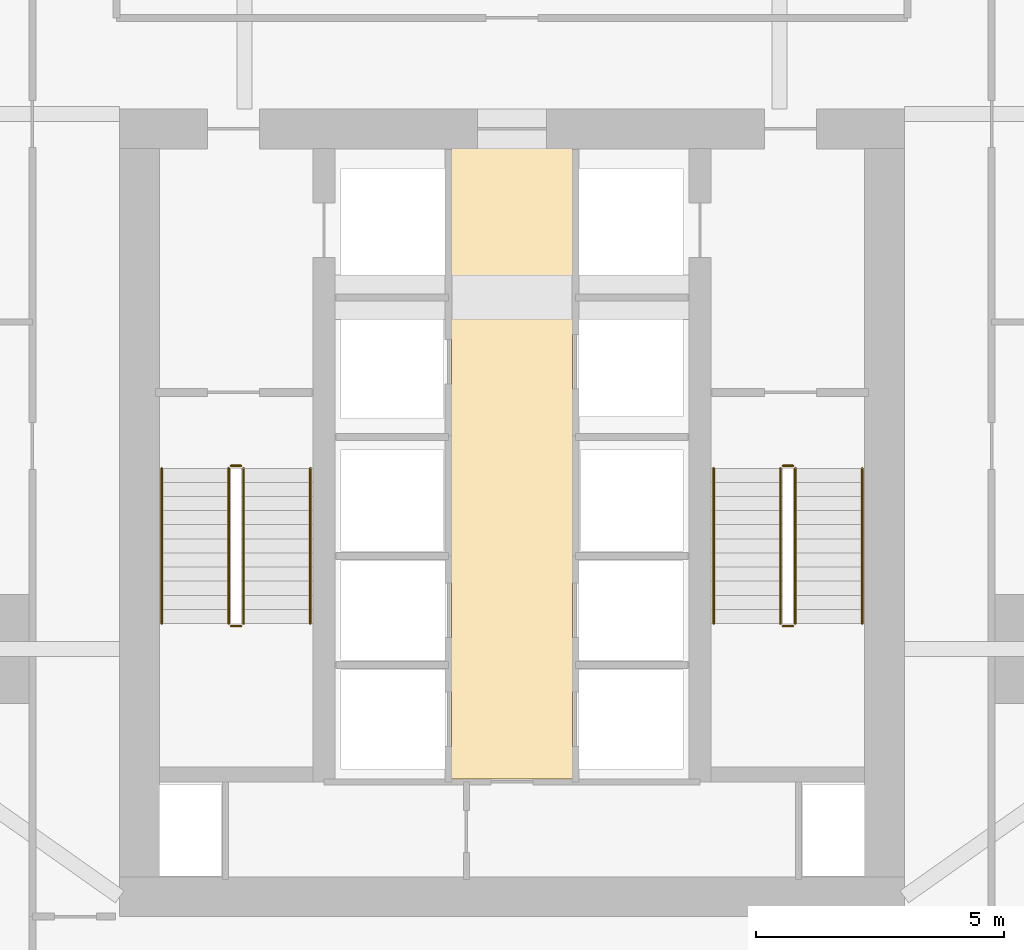
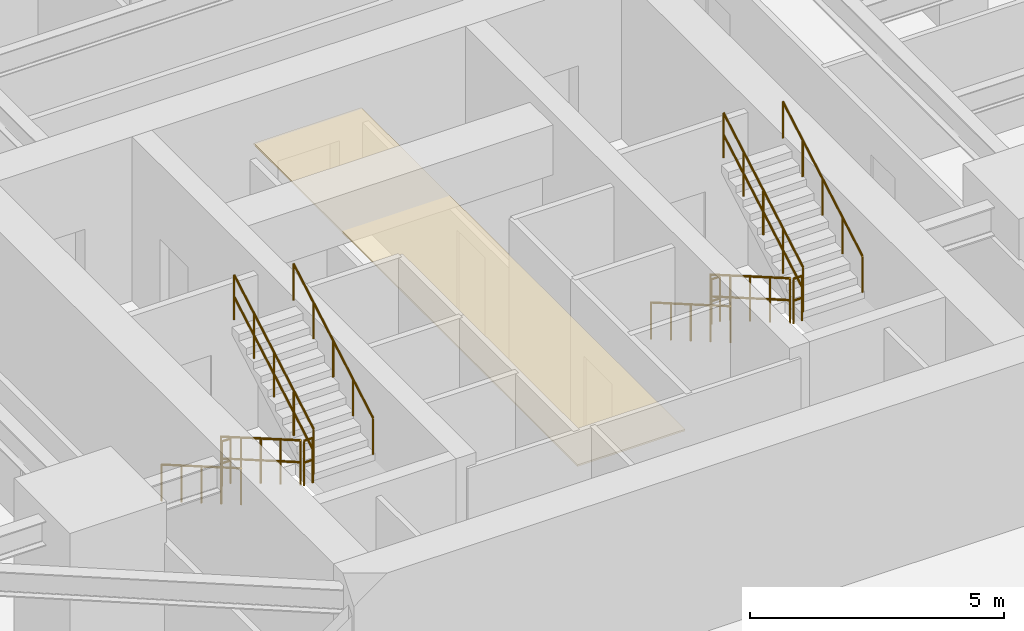
# One storey, part 27 of 28: 12 railings, 1 covering.
"""IFC4 building model written with IfcOpenShell, lengths in metres."""

from ifc_helpers import new_model, si_unit, direction, frame, origin, origin_2d, place, context, subcontext, project, spatial, polyline, circle, outline, extrude, material, layer, layer_set, type_object, element, save


model = new_model("IFC4")

# Units and contexts
model_context = context("Model", 3, precision=1e-05, world=origin(), true_north=direction((0.0, 1.0)))
body_context = subcontext(model_context, "Body", "Model", "MODEL_VIEW")
ifc_project = project(units=[si_unit("LENGTHUNIT", "METRE"), si_unit("AREAUNIT", "SQUARE_METRE"), si_unit("VOLUMEUNIT", "CUBIC_METRE"), si_unit("PLANEANGLEUNIT", "RADIAN"), si_unit("MASSUNIT", "GRAM", prefix="KILO")], contexts=[model_context])

# Site, building, storey
site_placement = place(None, origin())
site = spatial("IfcSite", under=ifc_project, at=site_placement, CompositionType="ELEMENT")
building_placement = place(site_placement, origin())
building = spatial("IfcBuilding", under=site, at=building_placement, Name="Krantzveldt Concourse Tower", CompositionType="ELEMENT")
storey_placement = place(building_placement, frame((0.0, 0.0, 64.5)))
storey = spatial("IfcBuildingStorey", under=building, at=storey_placement, Name="L15", CompositionType="ELEMENT", Elevation=64.5)

# Covering
ifc_material_1 = material(Name="Perforated acoustic mineral-fibre ceiling tile", Category="ceiling")
ifc_layer_1 = layer(ifc_material_1, 0.0400390625, Name="Perforated acoustic mineral-fibre ceiling tile", Category="ceiling")
ifc_layer_set_1 = layer_set([ifc_layer_1], Name="Perforated acoustic mineral-fibre ceiling tile (COV-CEIL-ACOUSTIC)")
covering_type = type_object("IfcCoveringType", Name="COV-CEIL-ACOUSTIC", PredefinedType="CEILING", material=ifc_layer_set_1)
covering_placement = place(storey_placement, frame((0.0, 0.0, 2.75)))
element("IfcCovering", 1, at=covering_placement, inside=storey, type_object=covering_type, Name="CLG-L15-LLB", PredefinedType="CEILING", context=body_context, shape_type="SweptSolid", body=[
    extrude(outline(polyline([(37.22509765625, 13.27490234375), (34.77490234375, 13.27490234375), (34.77490234375, 26.044921875), (37.22509765625, 26.044921875), (37.22509765625, 13.27490234375)])), origin(), (0.0, 0.0, 1.0), 0.0400390625),
])

# Railings
ifc_material_2 = material(Name="Stainless steel 316L", Category="steel")
ifc_layer_2 = layer(ifc_material_2, 0.06005859375, Name="Stainless steel 316L", Category="steel")
ifc_layer_set_2 = layer_set([ifc_layer_2], Name="Stainless steel 316L (RL-GUARD-1120)")
railing_type_1 = type_object("IfcRailingType", Name="RL-GUARD-1120", PredefinedType="GUARDRAIL", material=ifc_layer_set_2)
railing_1_placement = place(storey_placement, frame((30.280029296875, 19.550048828125, 0.16455078125)))
element("IfcRailing", 2, at=railing_1_placement, inside=storey, type_object=railing_type_1, Name="L15 ST-1 stair guard 1", PredefinedType="GUARDRAIL", context=body_context, shape_type="SweptSolid", body=[
    extrude(circle(Radius=0.02392578125, at=origin_2d()), frame((0.0, 0.0, 1.076171875), z_axis=(0.0, -0.865959834175, 0.500113552702), x_axis=(1.0, 0.0, 0.0)), (0.0, 0.0, 1.0), 3.620361328125),
    extrude(circle(Radius=0.02392578125, at=origin_2d()), frame((0.0, 0.0, 0.550048828125), z_axis=(0.0, -0.865959834175, 0.500113552702), x_axis=(1.0, 0.0, 0.0)), (0.0, 0.0, 1.0), 3.620361328125),
    extrude(circle(Radius=0.02099609375, at=origin_2d()), origin(), (0.0, 0.0, 1.0), 1.052001953125),
    extrude(circle(Radius=0.02099609375, at=origin_2d()), frame((0.0, -0.78369140625, 0.45263671875)), (0.0, 0.0, 1.0), 1.052001953125),
    extrude(circle(Radius=0.02099609375, at=origin_2d()), frame((0.0, -1.5673828125, 0.9052734375)), (0.0, 0.0, 1.0), 1.052001953125),
    extrude(circle(Radius=0.02099609375, at=origin_2d()), frame((0.0, -2.351318359375, 1.35791015625)), (0.0, 0.0, 1.0), 1.052001953125),
    extrude(circle(Radius=0.02099609375, at=origin_2d()), frame((0.0, -3.135009765625, 1.810546875)), (0.0, 0.0, 1.0), 1.052001953125),
])
railing_2_placement = place(storey_placement, frame((30.330078125, 16.364990234375, 1.97509765625)))
element("IfcRailing", 3, at=railing_2_placement, inside=storey, type_object=railing_type_1, Name="L15 ST-1 stair guard 2", PredefinedType="GUARDRAIL", context=body_context, shape_type="SweptSolid", body=[
    extrude(circle(Radius=0.02392578125, at=origin_2d()), frame((0.0, 0.0, 1.076171875), z_axis=(1.0, 0.0, 0.0), x_axis=(0.0, 1.0, 0.0)), (0.0, 0.0, 1.0), 0.199951171875),
    extrude(circle(Radius=0.02392578125, at=origin_2d()), frame((0.0, 0.0, 0.550048828125), z_axis=(1.0, 0.0, 0.0), x_axis=(0.0, 1.0, 0.0)), (0.0, 0.0, 1.0), 0.199951171875),
    extrude(circle(Radius=0.02099609375, at=origin_2d()), origin(), (0.0, 0.0, 1.0), 1.052001953125),
    extrude(circle(Radius=0.02099609375, at=origin_2d()), frame((0.199951171875, 0.0, 0.0)), (0.0, 0.0, 1.0), 1.052001953125),
])
railing_3_placement = place(storey_placement, frame((30.580078125, 16.4150390625, 2.1396484375)))
element("IfcRailing", 4, at=railing_3_placement, inside=storey, type_object=railing_type_1, Name="L15 ST-1 stair guard 3", PredefinedType="GUARDRAIL", context=body_context, shape_type="SweptSolid", body=[
    extrude(circle(Radius=0.02392578125, at=origin_2d()), frame((0.0, 0.0, 1.076171875), z_axis=(0.0, 0.865989039225, 0.500062979975), x_axis=(-1.0, 0.0, 0.0)), (0.0, 0.0, 1.0), 3.6201171875),
    extrude(circle(Radius=0.02392578125, at=origin_2d()), frame((0.0, 0.0, 0.550048828125), z_axis=(0.0, 0.865989039225, 0.500062979975), x_axis=(-1.0, 0.0, 0.0)), (0.0, 0.0, 1.0), 3.6201171875),
    extrude(circle(Radius=0.02099609375, at=origin_2d()), origin(), (0.0, 0.0, 1.0), 1.052001953125),
    extrude(circle(Radius=0.02099609375, at=origin_2d()), frame((0.0, 0.78369140625, 0.45263671875)), (0.0, 0.0, 1.0), 1.052001953125),
    extrude(circle(Radius=0.02099609375, at=origin_2d()), frame((0.0, 1.5673828125, 0.9052734375)), (0.0, 0.0, 1.0), 1.052001953125),
    extrude(circle(Radius=0.02099609375, at=origin_2d()), frame((0.0, 2.351318359375, 1.357666015625)), (0.0, 0.0, 1.0), 1.052001953125),
    extrude(circle(Radius=0.02099609375, at=origin_2d()), frame((0.0, 3.135009765625, 1.810302734375)), (0.0, 0.0, 1.0), 1.052001953125),
])
railing_4_placement = place(storey_placement, frame((30.330078125, 19.60009765625, 0.0)))
element("IfcRailing", 5, at=railing_4_placement, inside=storey, type_object=railing_type_1, Name="L15 ST-1 stair guard 4", PredefinedType="GUARDRAIL", context=body_context, shape_type="SweptSolid", body=[
    extrude(circle(Radius=0.02392578125, at=origin_2d()), frame((0.0, 0.0, 1.076171875), z_axis=(1.0, 0.0, 0.0), x_axis=(0.0, 1.0, 0.0)), (0.0, 0.0, 1.0), 0.199951171875),
    extrude(circle(Radius=0.02392578125, at=origin_2d()), frame((0.0, 0.0, 0.550048828125), z_axis=(1.0, 0.0, 0.0), x_axis=(0.0, 1.0, 0.0)), (0.0, 0.0, 1.0), 0.199951171875),
    extrude(circle(Radius=0.02099609375, at=origin_2d()), origin(), (0.0, 0.0, 1.0), 1.052001953125),
    extrude(circle(Radius=0.02099609375, at=origin_2d()), frame((0.199951171875, 0.0, 0.0)), (0.0, 0.0, 1.0), 1.052001953125),
])
railing_5_placement = place(storey_placement, frame((41.419921875, 19.550048828125, 0.16455078125)))
element("IfcRailing", 6, at=railing_5_placement, inside=storey, type_object=railing_type_1, Name="L15 ST-2 stair guard 1", PredefinedType="GUARDRAIL", context=body_context, shape_type="SweptSolid", body=[
    extrude(circle(Radius=0.02392578125, at=origin_2d()), frame((0.0, 0.0, 1.076171875), z_axis=(0.0, -0.865959834175, 0.500113552702), x_axis=(1.0, 0.0, 0.0)), (0.0, 0.0, 1.0), 3.620361328125),
    extrude(circle(Radius=0.02392578125, at=origin_2d()), frame((0.0, 0.0, 0.550048828125), z_axis=(0.0, -0.865959834175, 0.500113552702), x_axis=(1.0, 0.0, 0.0)), (0.0, 0.0, 1.0), 3.620361328125),
    extrude(circle(Radius=0.02099609375, at=origin_2d()), origin(), (0.0, 0.0, 1.0), 1.052001953125),
    extrude(circle(Radius=0.02099609375, at=origin_2d()), frame((0.0, -0.78369140625, 0.45263671875)), (0.0, 0.0, 1.0), 1.052001953125),
    extrude(circle(Radius=0.02099609375, at=origin_2d()), frame((0.0, -1.5673828125, 0.9052734375)), (0.0, 0.0, 1.0), 1.052001953125),
    extrude(circle(Radius=0.02099609375, at=origin_2d()), frame((0.0, -2.351318359375, 1.35791015625)), (0.0, 0.0, 1.0), 1.052001953125),
    extrude(circle(Radius=0.02099609375, at=origin_2d()), frame((0.0, -3.135009765625, 1.810546875)), (0.0, 0.0, 1.0), 1.052001953125),
])
railing_6_placement = place(storey_placement, frame((41.469970703125, 16.364990234375, 1.97509765625)))
element("IfcRailing", 7, at=railing_6_placement, inside=storey, type_object=railing_type_1, Name="L15 ST-2 stair guard 2", PredefinedType="GUARDRAIL", context=body_context, shape_type="SweptSolid", body=[
    extrude(circle(Radius=0.02392578125, at=origin_2d()), frame((0.0, 0.0, 1.076171875), z_axis=(1.0, 0.0, 0.0), x_axis=(0.0, 1.0, 0.0)), (0.0, 0.0, 1.0), 0.199951171875),
    extrude(circle(Radius=0.02392578125, at=origin_2d()), frame((0.0, 0.0, 0.550048828125), z_axis=(1.0, 0.0, 0.0), x_axis=(0.0, 1.0, 0.0)), (0.0, 0.0, 1.0), 0.199951171875),
    extrude(circle(Radius=0.02099609375, at=origin_2d()), origin(), (0.0, 0.0, 1.0), 1.052001953125),
    extrude(circle(Radius=0.02099609375, at=origin_2d()), frame((0.199951171875, 0.0, 0.0)), (0.0, 0.0, 1.0), 1.052001953125),
])
railing_7_placement = place(storey_placement, frame((41.719970703125, 16.4150390625, 2.1396484375)))
element("IfcRailing", 8, at=railing_7_placement, inside=storey, type_object=railing_type_1, Name="L15 ST-2 stair guard 3", PredefinedType="GUARDRAIL", context=body_context, shape_type="SweptSolid", body=[
    extrude(circle(Radius=0.02392578125, at=origin_2d()), frame((0.0, 0.0, 1.076171875), z_axis=(0.0, 0.865989039225, 0.500062979975), x_axis=(-1.0, 0.0, 0.0)), (0.0, 0.0, 1.0), 3.6201171875),
    extrude(circle(Radius=0.02392578125, at=origin_2d()), frame((0.0, 0.0, 0.550048828125), z_axis=(0.0, 0.865989039225, 0.500062979975), x_axis=(-1.0, 0.0, 0.0)), (0.0, 0.0, 1.0), 3.6201171875),
    extrude(circle(Radius=0.02099609375, at=origin_2d()), origin(), (0.0, 0.0, 1.0), 1.052001953125),
    extrude(circle(Radius=0.02099609375, at=origin_2d()), frame((0.0, 0.78369140625, 0.45263671875)), (0.0, 0.0, 1.0), 1.052001953125),
    extrude(circle(Radius=0.02099609375, at=origin_2d()), frame((0.0, 1.5673828125, 0.9052734375)), (0.0, 0.0, 1.0), 1.052001953125),
    extrude(circle(Radius=0.02099609375, at=origin_2d()), frame((0.0, 2.351318359375, 1.357666015625)), (0.0, 0.0, 1.0), 1.052001953125),
    extrude(circle(Radius=0.02099609375, at=origin_2d()), frame((0.0, 3.135009765625, 1.810302734375)), (0.0, 0.0, 1.0), 1.052001953125),
])
railing_8_placement = place(storey_placement, frame((41.469970703125, 19.60009765625, 0.0)))
element("IfcRailing", 9, at=railing_8_placement, inside=storey, type_object=railing_type_1, Name="L15 ST-2 stair guard 4", PredefinedType="GUARDRAIL", context=body_context, shape_type="SweptSolid", body=[
    extrude(circle(Radius=0.02392578125, at=origin_2d()), frame((0.0, 0.0, 1.076171875), z_axis=(1.0, 0.0, 0.0), x_axis=(0.0, 1.0, 0.0)), (0.0, 0.0, 1.0), 0.199951171875),
    extrude(circle(Radius=0.02392578125, at=origin_2d()), frame((0.0, 0.0, 0.550048828125), z_axis=(1.0, 0.0, 0.0), x_axis=(0.0, 1.0, 0.0)), (0.0, 0.0, 1.0), 0.199951171875),
    extrude(circle(Radius=0.02099609375, at=origin_2d()), origin(), (0.0, 0.0, 1.0), 1.052001953125),
    extrude(circle(Radius=0.02099609375, at=origin_2d()), frame((0.199951171875, 0.0, 0.0)), (0.0, 0.0, 1.0), 1.052001953125),
])
ifc_layer_3 = layer(ifc_material_2, 0.050048828125, Name="Stainless steel 316L", Category="steel")
ifc_layer_set_3 = layer_set([ifc_layer_3], Name="Stainless steel 316L (RL-HANDRAIL-920)")
railing_type_2 = type_object("IfcRailingType", Name="RL-HANDRAIL-920", PredefinedType="HANDRAIL", material=ifc_layer_set_3)
railing_9_placement = place(storey_placement, frame((28.929931640625, 19.550048828125, 0.16455078125)))
element("IfcRailing", 10, at=railing_9_placement, inside=storey, type_object=railing_type_2, Name="L15 ST-1 stair handrail 1", PredefinedType="HANDRAIL", context=body_context, shape_type="SweptSolid", body=[
    extrude(circle(Radius=0.02392578125, at=origin_2d()), frame((0.0, 0.0, 0.8759765625), z_axis=(0.0, -0.865959834175, 0.500113552702), x_axis=(1.0, 0.0, 0.0)), (0.0, 0.0, 1.0), 3.620361328125),
    extrude(circle(Radius=0.02099609375, at=origin_2d()), origin(), (0.0, 0.0, 1.0), 0.851806640625),
    extrude(circle(Radius=0.02099609375, at=origin_2d()), frame((0.0, -0.78369140625, 0.45263671875)), (0.0, 0.0, 1.0), 0.851806640625),
    extrude(circle(Radius=0.02099609375, at=origin_2d()), frame((0.0, -1.5673828125, 0.9052734375)), (0.0, 0.0, 1.0), 0.851806640625),
    extrude(circle(Radius=0.02099609375, at=origin_2d()), frame((0.0, -2.351318359375, 1.35791015625)), (0.0, 0.0, 1.0), 0.851806640625),
    extrude(circle(Radius=0.02099609375, at=origin_2d()), frame((0.0, -3.135009765625, 1.810546875)), (0.0, 0.0, 1.0), 0.851806640625),
])
railing_10_placement = place(storey_placement, frame((31.929931640625, 16.4150390625, 2.1396484375)))
element("IfcRailing", 11, at=railing_10_placement, inside=storey, type_object=railing_type_2, Name="L15 ST-1 stair handrail 2", PredefinedType="HANDRAIL", context=body_context, shape_type="SweptSolid", body=[
    extrude(circle(Radius=0.02392578125, at=origin_2d()), frame((0.0, 0.0, 0.8759765625), z_axis=(0.0, 0.865989039225, 0.500062979975), x_axis=(-1.0, 0.0, 0.0)), (0.0, 0.0, 1.0), 3.6201171875),
    extrude(circle(Radius=0.02099609375, at=origin_2d()), origin(), (0.0, 0.0, 1.0), 0.851806640625),
    extrude(circle(Radius=0.02099609375, at=origin_2d()), frame((0.0, 0.78369140625, 0.45263671875)), (0.0, 0.0, 1.0), 0.851806640625),
    extrude(circle(Radius=0.02099609375, at=origin_2d()), frame((0.0, 1.5673828125, 0.9052734375)), (0.0, 0.0, 1.0), 0.851806640625),
    extrude(circle(Radius=0.02099609375, at=origin_2d()), frame((0.0, 2.351318359375, 1.357666015625)), (0.0, 0.0, 1.0), 0.851806640625),
    extrude(circle(Radius=0.02099609375, at=origin_2d()), frame((0.0, 3.135009765625, 1.810302734375)), (0.0, 0.0, 1.0), 0.851806640625),
])
railing_11_placement = place(storey_placement, frame((40.070068359375, 19.550048828125, 0.16455078125)))
element("IfcRailing", 12, at=railing_11_placement, inside=storey, type_object=railing_type_2, Name="L15 ST-2 stair handrail 1", PredefinedType="HANDRAIL", context=body_context, shape_type="SweptSolid", body=[
    extrude(circle(Radius=0.02392578125, at=origin_2d()), frame((0.0, 0.0, 0.8759765625), z_axis=(0.0, -0.865959834175, 0.500113552702), x_axis=(1.0, 0.0, 0.0)), (0.0, 0.0, 1.0), 3.620361328125),
    extrude(circle(Radius=0.02099609375, at=origin_2d()), origin(), (0.0, 0.0, 1.0), 0.851806640625),
    extrude(circle(Radius=0.02099609375, at=origin_2d()), frame((0.0, -0.78369140625, 0.45263671875)), (0.0, 0.0, 1.0), 0.851806640625),
    extrude(circle(Radius=0.02099609375, at=origin_2d()), frame((0.0, -1.5673828125, 0.9052734375)), (0.0, 0.0, 1.0), 0.851806640625),
    extrude(circle(Radius=0.02099609375, at=origin_2d()), frame((0.0, -2.351318359375, 1.35791015625)), (0.0, 0.0, 1.0), 0.851806640625),
    extrude(circle(Radius=0.02099609375, at=origin_2d()), frame((0.0, -3.135009765625, 1.810546875)), (0.0, 0.0, 1.0), 0.851806640625),
])
railing_12_placement = place(storey_placement, frame((43.070068359375, 16.4150390625, 2.1396484375)))
element("IfcRailing", 13, at=railing_12_placement, inside=storey, type_object=railing_type_2, Name="L15 ST-2 stair handrail 2", PredefinedType="HANDRAIL", context=body_context, shape_type="SweptSolid", body=[
    extrude(circle(Radius=0.02392578125, at=origin_2d()), frame((0.0, 0.0, 0.8759765625), z_axis=(0.0, 0.865989039225, 0.500062979975), x_axis=(-1.0, 0.0, 0.0)), (0.0, 0.0, 1.0), 3.6201171875),
    extrude(circle(Radius=0.02099609375, at=origin_2d()), origin(), (0.0, 0.0, 1.0), 0.851806640625),
    extrude(circle(Radius=0.02099609375, at=origin_2d()), frame((0.0, 0.78369140625, 0.45263671875)), (0.0, 0.0, 1.0), 0.851806640625),
    extrude(circle(Radius=0.02099609375, at=origin_2d()), frame((0.0, 1.5673828125, 0.9052734375)), (0.0, 0.0, 1.0), 0.851806640625),
    extrude(circle(Radius=0.02099609375, at=origin_2d()), frame((0.0, 2.351318359375, 1.357666015625)), (0.0, 0.0, 1.0), 0.851806640625),
    extrude(circle(Radius=0.02099609375, at=origin_2d()), frame((0.0, 3.135009765625, 1.810302734375)), (0.0, 0.0, 1.0), 0.851806640625),
])

save(model, "model.ifc")
